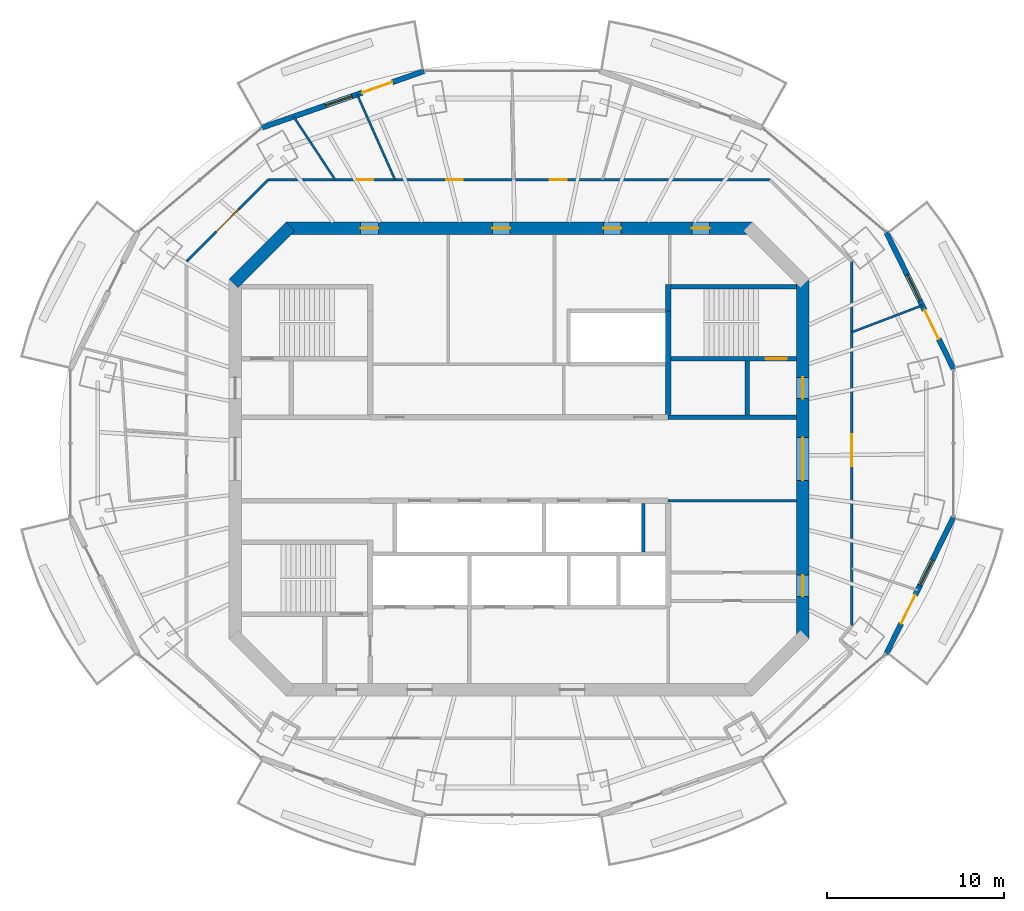
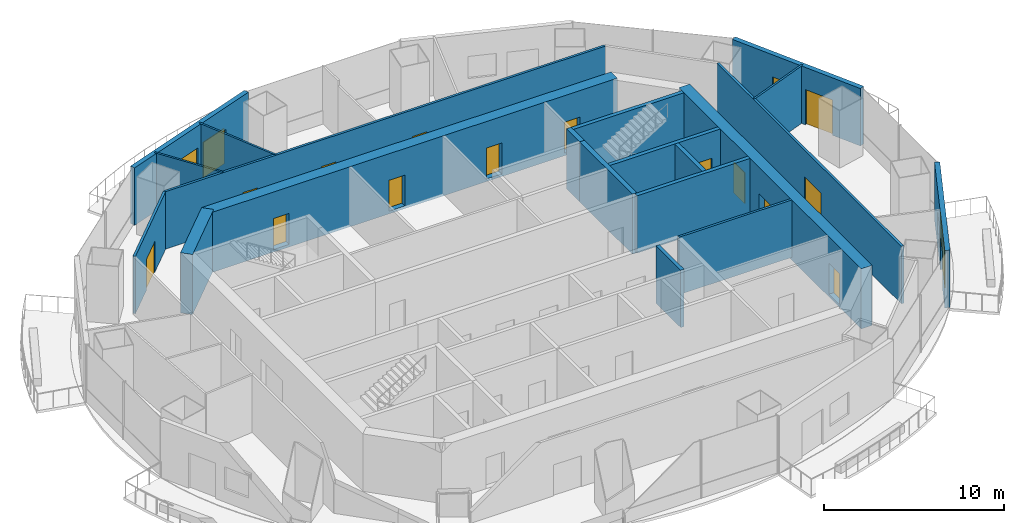
# One storey, part 10 of 14: 20 walls, 16 doors, 3 windows, 19 openings.
"""IFC4 building model written with IfcOpenShell, lengths in metres."""

from ifc_helpers import new_model, si_unit, direction, frame, frame_2d, origin, place, context, subcontext, project, spatial, rectangle, extrude, material, layer, layer_set, type_object, element, fill, save


model = new_model("IFC4")

# Units and contexts
model_context = context("Model", 3, precision=1e-05, world=origin(), true_north=direction((0.0, 1.0)))
body_context = subcontext(model_context, "Body", "Model", "MODEL_VIEW")
ifc_project = project(units=[si_unit("LENGTHUNIT", "METRE"), si_unit("AREAUNIT", "SQUARE_METRE"), si_unit("VOLUMEUNIT", "CUBIC_METRE"), si_unit("PLANEANGLEUNIT", "RADIAN"), si_unit("MASSUNIT", "GRAM", prefix="KILO")], contexts=[model_context])

# Site, building, storey
site_placement = place(None, origin())
site = spatial("IfcSite", under=ifc_project, at=site_placement, CompositionType="ELEMENT")
building_placement = place(site_placement, origin())
building = spatial("IfcBuilding", under=site, at=building_placement, Name="Marenthal Gate Tower", CompositionType="ELEMENT")
storey_placement = place(building_placement, frame((0.0, 0.0, 392.39990234375)))
storey = spatial("IfcBuildingStorey", under=building, at=storey_placement, Name="L89", CompositionType="ELEMENT", Elevation=392.39990234375)

# Wall, openings, doors
ifc_material_1 = material(Name="Concrete 60 MPa", Category="concrete")
ifc_layer_1 = layer(ifc_material_1, 0.699951171875)
ifc_layer_set_1 = layer_set([ifc_layer_1], Name="Core shear wall 700")
wall_type_1 = type_object("IfcWallType", Name="Core shear wall 700", PredefinedType="SHEAR", material=ifc_layer_set_1)
wall_1_placement = place(storey_placement, frame((16.0, -10.14501953125, -0.179931640625), z_axis=(0.0, 0.0, 1.0), x_axis=(0.0, 1.0, 0.0)))
wall_1 = element("IfcWall", 1, at=wall_1_placement, inside=storey, type_object=wall_type_1, Name="Core wall 02", PredefinedType="SHEAR", context=body_context, shape_type="SweptSolid", body=[
    extrude(rectangle(XDim=20.2900390625, YDim=0.699951171875, at=frame_2d((10.14501953125, 0.0))), origin(), (0.0, 0.0, 1.0), 4.080078125),
])
opening_1_placement = place(wall_1_placement, frame((8.945068359375, 0.0, 0.179931640625)))
opening_1 = element("IfcOpeningElement", 2, at=opening_1_placement, cuts=wall_1, Name="Opening D003.02", PredefinedType="OPENING", context=body_context, shape_type="SweptSolid", body=[
    extrude(rectangle(XDim=2.39990234375, YDim=2.10009765625, at=frame_2d((1.199951171875, 1.050048828125))), frame((0.0, 0.35986328125, 0.0), z_axis=(0.0, -1.0, 0.0), x_axis=(1.0, 0.0, 0.0)), (0.0, 0.0, 1.0), 0.719970703125),
])
opening_2_placement = place(wall_1_placement, frame((13.544921875, 0.0, 0.179931640625)))
opening_2 = element("IfcOpeningElement", 3, at=opening_2_placement, cuts=wall_1, Name="Opening D001.05", PredefinedType="OPENING", context=body_context, shape_type="SweptSolid", body=[
    extrude(rectangle(XDim=1.199951171875, YDim=2.10009765625, at=frame_2d((0.60009765625, 1.050048828125))), frame((0.0, 0.35986328125, 0.0), z_axis=(0.0, -1.0, 0.0), x_axis=(1.0, 0.0, 0.0)), (0.0, 0.0, 1.0), 0.719970703125),
])
opening_3_placement = place(wall_1_placement, frame((2.39990234375, 0.0, 0.179931640625)))
opening_3 = element("IfcOpeningElement", 4, at=opening_3_placement, cuts=wall_1, Name="Opening D006.01", PredefinedType="OPENING", context=body_context, shape_type="SweptSolid", body=[
    extrude(rectangle(XDim=1.199951171875, YDim=2.10009765625, at=frame_2d((0.60009765625, 1.050048828125))), frame((0.0, 0.35986328125, 0.0), z_axis=(0.0, -1.0, 0.0), x_axis=(1.0, 0.0, 0.0)), (0.0, 0.0, 1.0), 0.719970703125),
])
ifc_material_2 = material(Name="Steel fire door", Category="steel")
door_type_1 = type_object("IfcDoorType", Name="Double fire door FD 45 2400 x 2100", OperationType="DOUBLE_DOOR_SINGLE_SWING", PredefinedType="DOOR", material=ifc_material_2)
door_1_placement = place(opening_1_placement, origin())
door_1 = element("IfcDoor", 5, at=door_1_placement, inside=storey, type_object=door_type_1, Name="Door D003.02", OperationType="DOUBLE_DOOR_SINGLE_SWING", OverallHeight=2.10009765625, OverallWidth=2.39990234375, PredefinedType="DOOR", context=body_context, shape_type="SweptSolid", body=[
    extrude(rectangle(XDim=2.39990234375, YDim=2.10009765625, at=frame_2d((1.199951171875, 1.050048828125))), frame((0.0, 0.02490234375, 0.0), z_axis=(0.0, -1.0, 0.0), x_axis=(1.0, 0.0, 0.0)), (0.0, 0.0, 1.0), 0.050048828125),
])
fill(opening_1, door_1)
ifc_material_3 = material(Name="Steel fire door", Category="steel")
door_type_2 = type_object("IfcDoorType", Name="Fire door FD 45 1200 x 2100", OperationType="NOTDEFINED", PredefinedType="DOOR", material=ifc_material_3)
door_2_placement = place(opening_3_placement, origin())
door_2 = element("IfcDoor", 6, at=door_2_placement, inside=storey, type_object=door_type_2, Name="Door D006.01", OperationType="SINGLE_SWING_RIGHT", OverallHeight=2.10009765625, OverallWidth=1.199951171875, PredefinedType="DOOR", context=body_context, shape_type="SweptSolid", body=[
    extrude(rectangle(XDim=1.199951171875, YDim=2.10009765625, at=frame_2d((0.60009765625, 1.050048828125))), frame((0.0, 0.02490234375, 0.0), z_axis=(0.0, -1.0, 0.0), x_axis=(1.0, 0.0, 0.0)), (0.0, 0.0, 1.0), 0.050048828125),
])
fill(opening_3, door_2)
ifc_material_4 = material(Name="Steel fire door", Category="steel")
door_type_3 = type_object("IfcDoorType", Name="Fire door FD 90 1200 x 2100", OperationType="NOTDEFINED", PredefinedType="DOOR", material=ifc_material_4)
door_3_placement = place(opening_2_placement, origin())
door_3 = element("IfcDoor", 7, at=door_3_placement, inside=storey, type_object=door_type_3, Name="Door D001.05", OperationType="SINGLE_SWING_RIGHT", OverallHeight=2.10009765625, OverallWidth=1.199951171875, PredefinedType="DOOR", context=body_context, shape_type="SweptSolid", body=[
    extrude(rectangle(XDim=1.199951171875, YDim=2.10009765625, at=frame_2d((0.60009765625, 1.050048828125))), frame((0.0, 0.02490234375, 0.0), z_axis=(0.0, -1.0, 0.0), x_axis=(1.0, 0.0, 0.0)), (0.0, 0.0, 1.0), 0.050048828125),
])
fill(opening_2, door_3)

wall_2_placement = place(storey_placement, frame((13.14501953125, 13.0, -0.179931640625), z_axis=(0.0, 0.0, 1.0), x_axis=(-1.0, 0.0, 0.0)))
wall_2 = element("IfcWall", 8, at=wall_2_placement, inside=storey, type_object=wall_type_1, Name="Core wall 04", PredefinedType="SHEAR", context=body_context, shape_type="SweptSolid", body=[
    extrude(rectangle(XDim=26.2900390625, YDim=0.699951171875, at=frame_2d((13.14501953125, 0.0))), origin(), (0.0, 0.0, 1.0), 4.080078125),
])
opening_4_placement = place(wall_2_placement, frame((21.07275390625, 0.0, 0.179931640625)))
opening_4 = element("IfcOpeningElement", 9, at=opening_4_placement, cuts=wall_2, Name="Opening D005.03", PredefinedType="OPENING", context=body_context, shape_type="SweptSolid", body=[
    extrude(rectangle(XDim=1.0, YDim=2.10009765625, at=frame_2d((0.5, 1.050048828125))), frame((0.0, 0.35986328125, 0.0), z_axis=(0.0, -1.0, 0.0), x_axis=(1.0, 0.0, 0.0)), (0.0, 0.0, 1.0), 0.719970703125),
])
opening_5_placement = place(wall_2_placement, frame((13.64501953125, 0.0, 0.179931640625)))
opening_5 = element("IfcOpeningElement", 10, at=opening_5_placement, cuts=wall_2, Name="Opening D005.04", PredefinedType="OPENING", context=body_context, shape_type="SweptSolid", body=[
    extrude(rectangle(XDim=1.0, YDim=2.10009765625, at=frame_2d((0.5, 1.050048828125))), frame((0.0, 0.35986328125, 0.0), z_axis=(0.0, -1.0, 0.0), x_axis=(1.0, 0.0, 0.0)), (0.0, 0.0, 1.0), 0.719970703125),
])
opening_6_placement = place(wall_2_placement, frame((7.39501953125, 0.0, 0.179931640625)))
opening_6 = element("IfcOpeningElement", 11, at=opening_6_placement, cuts=wall_2, Name="Opening D005.05", PredefinedType="OPENING", context=body_context, shape_type="SweptSolid", body=[
    extrude(rectangle(XDim=1.0, YDim=2.10009765625, at=frame_2d((0.5, 1.050048828125))), frame((0.0, 0.35986328125, 0.0), z_axis=(0.0, -1.0, 0.0), x_axis=(1.0, 0.0, 0.0)), (0.0, 0.0, 1.0), 0.719970703125),
])
opening_7_placement = place(wall_2_placement, frame((2.39990234375, 0.0, 0.179931640625)))
opening_7 = element("IfcOpeningElement", 12, at=opening_7_placement, cuts=wall_2, Name="Opening D005.06", PredefinedType="OPENING", context=body_context, shape_type="SweptSolid", body=[
    extrude(rectangle(XDim=1.0, YDim=2.10009765625, at=frame_2d((0.5, 1.050048828125))), frame((0.0, 0.35986328125, 0.0), z_axis=(0.0, -1.0, 0.0), x_axis=(1.0, 0.0, 0.0)), (0.0, 0.0, 1.0), 0.719970703125),
])
ifc_material_5 = material(Name="Steel fire door", Category="steel")
door_type_4 = type_object("IfcDoorType", Name="Fire door FD 45 1000 x 2100", OperationType="NOTDEFINED", PredefinedType="DOOR", material=ifc_material_5)
door_4_placement = place(opening_4_placement, origin())
door_4 = element("IfcDoor", 13, at=door_4_placement, inside=storey, type_object=door_type_4, Name="Door D005.03", OperationType="SINGLE_SWING_RIGHT", OverallHeight=2.10009765625, OverallWidth=1.0, PredefinedType="DOOR", context=body_context, shape_type="SweptSolid", body=[
    extrude(rectangle(XDim=1.0, YDim=2.10009765625, at=frame_2d((0.5, 1.050048828125))), frame((0.0, 0.02490234375, 0.0), z_axis=(0.0, -1.0, 0.0), x_axis=(1.0, 0.0, 0.0)), (0.0, 0.0, 1.0), 0.050048828125),
])
fill(opening_4, door_4)
door_5_placement = place(opening_5_placement, origin())
door_5 = element("IfcDoor", 14, at=door_5_placement, inside=storey, type_object=door_type_4, Name="Door D005.04", OperationType="SINGLE_SWING_RIGHT", OverallHeight=2.10009765625, OverallWidth=1.0, PredefinedType="DOOR", context=body_context, shape_type="SweptSolid", body=[
    extrude(rectangle(XDim=1.0, YDim=2.10009765625, at=frame_2d((0.5, 1.050048828125))), frame((0.0, 0.02490234375, 0.0), z_axis=(0.0, -1.0, 0.0), x_axis=(1.0, 0.0, 0.0)), (0.0, 0.0, 1.0), 0.050048828125),
])
fill(opening_5, door_5)
door_6_placement = place(opening_6_placement, origin())
door_6 = element("IfcDoor", 15, at=door_6_placement, inside=storey, type_object=door_type_4, Name="Door D005.05", OperationType="SINGLE_SWING_RIGHT", OverallHeight=2.10009765625, OverallWidth=1.0, PredefinedType="DOOR", context=body_context, shape_type="SweptSolid", body=[
    extrude(rectangle(XDim=1.0, YDim=2.10009765625, at=frame_2d((0.5, 1.050048828125))), frame((0.0, 0.02490234375, 0.0), z_axis=(0.0, -1.0, 0.0), x_axis=(1.0, 0.0, 0.0)), (0.0, 0.0, 1.0), 0.050048828125),
])
fill(opening_6, door_6)
door_7_placement = place(opening_7_placement, origin())
door_7 = element("IfcDoor", 16, at=door_7_placement, inside=storey, type_object=door_type_4, Name="Door D005.06", OperationType="SINGLE_SWING_RIGHT", OverallHeight=2.10009765625, OverallWidth=1.0, PredefinedType="DOOR", context=body_context, shape_type="SweptSolid", body=[
    extrude(rectangle(XDim=1.0, YDim=2.10009765625, at=frame_2d((0.5, 1.050048828125))), frame((0.0, 0.02490234375, 0.0), z_axis=(0.0, -1.0, 0.0), x_axis=(1.0, 0.0, 0.0)), (0.0, 0.0, 1.0), 0.050048828125),
])
fill(opening_7, door_7)

# Walls
wall_3_placement = place(storey_placement, frame((-12.8974609375, 13.1025390625, -0.179931640625), z_axis=(0.0, 0.0, 1.0), x_axis=(-0.707106781187, -0.707106781187, 0.0)))
element("IfcWall", 17, at=wall_3_placement, inside=storey, type_object=wall_type_1, Name="Core wall 05", PredefinedType="SHEAR", context=body_context, shape_type="SweptSolid", body=[
    extrude(rectangle(XDim=4.53271484375, YDim=0.699951171875, at=frame_2d((2.266357421875, 0.0))), origin(), (0.0, 0.0, 1.0), 4.080078125),
])
ifc_material_6 = material(Name="Concrete 50 MPa", Category="concrete")
ifc_layer_2 = layer(ifc_material_6, 0.300048828125)
ifc_layer_set_2 = layer_set([ifc_layer_2], Name="Hoistway shear wall 300")
wall_type_2 = type_object("IfcWallType", Name="Hoistway shear wall 300", PredefinedType="SHEAR", material=ifc_layer_set_2)
wall_4_placement = place(storey_placement, frame((8.39990234375, 2.5, -0.179931640625), z_axis=(0.0, 0.0, 1.0), x_axis=(0.0, 1.0, 0.0)))
element("IfcWall", 18, at=wall_4_placement, inside=storey, type_object=wall_type_2, Name="Hoistway wall 48", PredefinedType="SHEAR", context=body_context, shape_type="SweptSolid", body=[
    extrude(rectangle(XDim=5.85009765625, YDim=0.300048828125, at=frame_2d((2.925048828125, 0.0))), origin(), (0.0, 0.0, 1.0), 4.080078125),
])
ifc_material_7 = material(Name="Concrete 40 MPa", Category="concrete")
ifc_layer_3 = layer(ifc_material_7, 0.219970703125)
ifc_layer_set_3 = layer_set([ifc_layer_3], Name="Hoistway wall 220")
wall_type_3 = type_object("IfcWallType", Name="Hoistway wall 220", PredefinedType="STANDARD", material=ifc_layer_set_3)
wall_5_placement = place(storey_placement, frame((7.0, -5.239990234375, 0.0), z_axis=(0.0, 0.0, 1.0), x_axis=(0.0, 1.0, 0.0)))
element("IfcWall", 19, at=wall_5_placement, inside=storey, type_object=wall_type_3, Name="Hoistway wall 45", PredefinedType="STANDARD", context=body_context, shape_type="SweptSolid", body=[
    extrude(rectangle(XDim=2.739990234375, YDim=0.219970703125, at=frame_2d((1.3701171875, 0.0))), origin(), (0.0, 0.0, 1.0), 3.900146484375),
])
ifc_material_8 = material(Name="Gypsum board on steel studs", Category="steel")
ifc_layer_4 = layer(ifc_material_8, 0.1201171875)
ifc_layer_set_4 = layer_set([ifc_layer_4], Name="Partition 120")
wall_type_4 = type_object("IfcWallType", Name="Partition 120", PredefinedType="PARTITIONING", material=ifc_layer_set_4)
wall_6_placement = place(storey_placement, frame((-10.37255859375, 15.75, 0.0), z_axis=(0.0, 0.0, 1.0), x_axis=(-0.550014013295, 0.835155425762, 0.0)))
element("IfcWall", 20, at=wall_6_placement, inside=storey, type_object=wall_type_4, Name="Partition wall 63", PredefinedType="PARTITIONING", context=body_context, shape_type="SweptSolid", body=[
    extrude(rectangle(XDim=4.251953125, YDim=0.1201171875, at=frame_2d((2.1259765625, 0.0))), origin(), (0.0, 0.0, 1.0), 3.900146484375),
])
wall_7_placement = place(storey_placement, frame((-6.99560546875, 15.75, 0.0), z_axis=(0.0, 0.0, 1.0), x_axis=(-0.405909939035, 0.913913081968, 0.0)))
element("IfcWall", 21, at=wall_7_placement, inside=storey, type_object=wall_type_4, Name="Partition wall 64", PredefinedType="PARTITIONING", context=body_context, shape_type="SweptSolid", body=[
    extrude(rectangle(XDim=5.25390625, YDim=0.1201171875, at=frame_2d((2.626953125, 0.0))), origin(), (0.0, 0.0, 1.0), 3.900146484375),
])
wall_8_placement = place(storey_placement, frame((18.75, 7.14501953125, 0.0), z_axis=(0.0, 0.0, 1.0), x_axis=(0.934470468692, 0.35604064816, 0.0)))
element("IfcWall", 22, at=wall_8_placement, inside=storey, type_object=wall_type_4, Name="Partition wall 76", PredefinedType="PARTITIONING", context=body_context, shape_type="SweptSolid", body=[
    extrude(rectangle(XDim=4.256103515625, YDim=0.1201171875, at=frame_2d((2.1279296875, 0.0))), origin(), (0.0, 0.0, 1.0), 3.900146484375),
])
ifc_material_9 = material(Name="Gypsum board on steel studs", Category="steel")
ifc_layer_5 = layer(ifc_material_9, 0.14990234375)
ifc_layer_set_5 = layer_set([ifc_layer_5], Name="Partition 150")
wall_type_5 = type_object("IfcWallType", Name="Partition 150", PredefinedType="PARTITIONING", material=ifc_layer_set_5)
wall_9_placement = place(storey_placement, frame((8.39990234375, -2.35009765625, 0.0), z_axis=(0.0, 0.0, 1.0), x_axis=(1.0, 0.0, 0.0)))
element("IfcWall", 23, at=wall_9_placement, inside=storey, type_object=wall_type_5, Name="Partition wall 18", PredefinedType="PARTITIONING", context=body_context, shape_type="SweptSolid", body=[
    extrude(rectangle(XDim=7.25, YDim=0.14990234375, at=frame_2d((3.625, 0.0))), origin(), (0.0, 0.0, 1.0), 3.900146484375),
])

# Wall, opening, door
wall_10_placement = place(storey_placement, frame((-18.75, 11.13916015625, 0.0), z_axis=(0.0, 0.0, 1.0), x_axis=(0.707106781187, 0.707106781187, 0.0)))
wall_10 = element("IfcWall", 24, at=wall_10_placement, inside=storey, type_object=wall_type_5, Name="Partition wall 57", PredefinedType="PARTITIONING", context=body_context, shape_type="SweptSolid", body=[
    extrude(rectangle(XDim=6.520751953125, YDim=0.14990234375, at=frame_2d((3.26025390625, 0.0))), origin(), (0.0, 0.0, 1.0), 3.900146484375),
])
opening_8_placement = place(wall_10_placement, frame((2.360107421875, 0.0, 0.0)))
opening_8 = element("IfcOpeningElement", 25, at=opening_8_placement, cuts=wall_10, Name="Opening D014.01", PredefinedType="OPENING", context=body_context, shape_type="SweptSolid", body=[
    extrude(rectangle(XDim=1.800048828125, YDim=2.10009765625, at=frame_2d((0.89990234375, 1.050048828125))), frame((0.0, 0.0849609375, 0.0), z_axis=(0.0, -1.0, 0.0), x_axis=(1.0, 0.0, 0.0)), (0.0, 0.0, 1.0), 0.169921875),
])
ifc_material_10 = material(Name="Timber door", Category="wood")
door_type_5 = type_object("IfcDoorType", Name="Double door 1800 x 2100", OperationType="DOUBLE_DOOR_SINGLE_SWING", PredefinedType="DOOR", material=ifc_material_10)
door_8_placement = place(opening_8_placement, origin())
door_8 = element("IfcDoor", 26, at=door_8_placement, inside=storey, type_object=door_type_5, Name="Door D014.01", OperationType="DOUBLE_DOOR_SINGLE_SWING", OverallHeight=2.10009765625, OverallWidth=1.800048828125, PredefinedType="DOOR", context=body_context, shape_type="SweptSolid", body=[
    extrude(rectangle(XDim=1.800048828125, YDim=2.10009765625, at=frame_2d((0.89990234375, 1.050048828125))), frame((0.0, 0.02490234375, 0.0), z_axis=(0.0, -1.0, 0.0), x_axis=(1.0, 0.0, 0.0)), (0.0, 0.0, 1.0), 0.050048828125),
])
fill(opening_8, door_8)

# Wall, openings, doors
wall_11_placement = place(storey_placement, frame((-14.13916015625, 15.75, 0.0), z_axis=(0.0, 0.0, 1.0), x_axis=(1.0, 0.0, 0.0)))
wall_11 = element("IfcWall", 27, at=wall_11_placement, inside=storey, type_object=wall_type_5, Name="Partition wall 59", PredefinedType="PARTITIONING", context=body_context, shape_type="SweptSolid", body=[
    extrude(rectangle(XDim=28.2783203125, YDim=0.14990234375, at=frame_2d((14.13916015625, 0.0))), origin(), (0.0, 0.0, 1.0), 3.900146484375),
])
opening_9_placement = place(wall_11_placement, frame((15.87109375, 0.0, 0.0)))
opening_9 = element("IfcOpeningElement", 28, at=opening_9_placement, cuts=wall_11, Name="Opening D016.02", PredefinedType="OPENING", context=body_context, shape_type="SweptSolid", body=[
    extrude(rectangle(XDim=0.949951171875, YDim=2.10009765625, at=frame_2d((0.47509765625, 1.050048828125))), frame((0.0, 0.0849609375, 0.0), z_axis=(0.0, -1.0, 0.0), x_axis=(1.0, 0.0, 0.0)), (0.0, 0.0, 1.0), 0.169921875),
])
opening_10_placement = place(wall_11_placement, frame((10.02197265625, 0.0, 0.0)))
opening_10 = element("IfcOpeningElement", 29, at=opening_10_placement, cuts=wall_11, Name="Opening D016.03", PredefinedType="OPENING", context=body_context, shape_type="SweptSolid", body=[
    extrude(rectangle(XDim=0.949951171875, YDim=2.10009765625, at=frame_2d((0.47509765625, 1.050048828125))), frame((0.0, 0.0849609375, 0.0), z_axis=(0.0, -1.0, 0.0), x_axis=(1.0, 0.0, 0.0)), (0.0, 0.0, 1.0), 0.169921875),
])
opening_11_placement = place(wall_11_placement, frame((4.97998046875, 0.0, 0.0)))
opening_11 = element("IfcOpeningElement", 30, at=opening_11_placement, cuts=wall_11, Name="Opening D016.04", PredefinedType="OPENING", context=body_context, shape_type="SweptSolid", body=[
    extrude(rectangle(XDim=0.949951171875, YDim=2.10009765625, at=frame_2d((0.47509765625, 1.050048828125))), frame((0.0, 0.0849609375, 0.0), z_axis=(0.0, -1.0, 0.0), x_axis=(1.0, 0.0, 0.0)), (0.0, 0.0, 1.0), 0.169921875),
])
ifc_material_11 = material(Name="Timber door", Category="wood")
door_type_6 = type_object("IfcDoorType", Name="Door 950 x 2100", OperationType="NOTDEFINED", PredefinedType="DOOR", material=ifc_material_11)
door_9_placement = place(opening_9_placement, origin())
door_9 = element("IfcDoor", 31, at=door_9_placement, inside=storey, type_object=door_type_6, Name="Door D016.02", OperationType="SINGLE_SWING_RIGHT", OverallHeight=2.10009765625, OverallWidth=0.949951171875, PredefinedType="DOOR", context=body_context, shape_type="SweptSolid", body=[
    extrude(rectangle(XDim=0.949951171875, YDim=2.10009765625, at=frame_2d((0.47509765625, 1.050048828125))), frame((0.0, 0.02490234375, 0.0), z_axis=(0.0, -1.0, 0.0), x_axis=(1.0, 0.0, 0.0)), (0.0, 0.0, 1.0), 0.050048828125),
])
fill(opening_9, door_9)
door_10_placement = place(opening_10_placement, origin())
door_10 = element("IfcDoor", 32, at=door_10_placement, inside=storey, type_object=door_type_6, Name="Door D016.03", OperationType="SINGLE_SWING_RIGHT", OverallHeight=2.10009765625, OverallWidth=0.949951171875, PredefinedType="DOOR", context=body_context, shape_type="SweptSolid", body=[
    extrude(rectangle(XDim=0.949951171875, YDim=2.10009765625, at=frame_2d((0.47509765625, 1.050048828125))), frame((0.0, 0.02490234375, 0.0), z_axis=(0.0, -1.0, 0.0), x_axis=(1.0, 0.0, 0.0)), (0.0, 0.0, 1.0), 0.050048828125),
])
fill(opening_10, door_10)
door_11_placement = place(opening_11_placement, origin())
door_11 = element("IfcDoor", 33, at=door_11_placement, inside=storey, type_object=door_type_6, Name="Door D016.04", OperationType="SINGLE_SWING_RIGHT", OverallHeight=2.10009765625, OverallWidth=0.949951171875, PredefinedType="DOOR", context=body_context, shape_type="SweptSolid", body=[
    extrude(rectangle(XDim=0.949951171875, YDim=2.10009765625, at=frame_2d((0.47509765625, 1.050048828125))), frame((0.0, 0.02490234375, 0.0), z_axis=(0.0, -1.0, 0.0), x_axis=(1.0, 0.0, 0.0)), (0.0, 0.0, 1.0), 0.050048828125),
])
fill(opening_11, door_11)

# Wall, opening, door
wall_12_placement = place(storey_placement, frame((18.75, 11.13916015625, 0.0), z_axis=(0.0, 0.0, 1.0), x_axis=(0.0, -1.0, 0.0)))
wall_12 = element("IfcWall", 34, at=wall_12_placement, inside=storey, type_object=wall_type_5, Name="Partition wall 77", PredefinedType="PARTITIONING", context=body_context, shape_type="SweptSolid", body=[
    extrude(rectangle(XDim=20.51806640625, YDim=0.14990234375, at=frame_2d((10.259033203125, 0.0))), origin(), (0.0, 0.0, 1.0), 3.900146484375),
])
opening_12_placement = place(wall_12_placement, frame((9.75, 0.0, 0.0)))
opening_12 = element("IfcOpeningElement", 35, at=opening_12_placement, cuts=wall_12, Name="Opening D014.03", PredefinedType="OPENING", context=body_context, shape_type="SweptSolid", body=[
    extrude(rectangle(XDim=1.800048828125, YDim=2.10009765625, at=frame_2d((0.89990234375, 1.050048828125))), frame((0.0, 0.0849609375, 0.0), z_axis=(0.0, -1.0, 0.0), x_axis=(1.0, 0.0, 0.0)), (0.0, 0.0, 1.0), 0.169921875),
])
door_12_placement = place(opening_12_placement, origin())
door_12 = element("IfcDoor", 36, at=door_12_placement, inside=storey, type_object=door_type_5, Name="Door D014.03", OperationType="DOUBLE_DOOR_SINGLE_SWING", OverallHeight=2.10009765625, OverallWidth=1.800048828125, PredefinedType="DOOR", context=body_context, shape_type="SweptSolid", body=[
    extrude(rectangle(XDim=1.800048828125, YDim=2.10009765625, at=frame_2d((0.89990234375, 1.050048828125))), frame((0.0, 0.02490234375, 0.0), z_axis=(0.0, -1.0, 0.0), x_axis=(1.0, 0.0, 0.0)), (0.0, 0.0, 1.0), 0.050048828125),
])
fill(opening_12, door_12)

# Walls
ifc_material_12 = material(Name="Concrete 40 MPa", Category="concrete")
ifc_layer_6 = layer(ifc_material_12, 0.25)
ifc_layer_set_6 = layer_set([ifc_layer_6], Name="Stair enclosure wall 250")
wall_type_6 = type_object("IfcWallType", Name="Stair enclosure wall 250", PredefinedType="STANDARD", material=ifc_layer_set_6)
wall_13_placement = place(storey_placement, frame((8.39990234375, 2.35009765625, 0.0), z_axis=(0.0, 0.0, 1.0), x_axis=(1.0, 0.0, 0.0)))
element("IfcWall", 37, at=wall_13_placement, inside=storey, type_object=wall_type_6, Name="Stair wall 21", PredefinedType="STANDARD", context=body_context, shape_type="SweptSolid", body=[
    extrude(rectangle(XDim=7.25, YDim=0.25, at=frame_2d((3.625, 0.0))), origin(), (0.0, 0.0, 1.0), 3.900146484375),
])
wall_14_placement = place(storey_placement, frame((12.85009765625, 2.47509765625, 0.0), z_axis=(0.0, 0.0, 1.0), x_axis=(0.0, 1.0, 0.0)))
element("IfcWall", 38, at=wall_14_placement, inside=storey, type_object=wall_type_6, Name="Stair wall 51", PredefinedType="STANDARD", context=body_context, shape_type="SweptSolid", body=[
    extrude(rectangle(XDim=3.0498046875, YDim=0.25, at=frame_2d((1.52490234375, 0.0))), origin(), (0.0, 0.0, 1.0), 3.900146484375),
])

# Wall, opening, door
ifc_material_13 = material(Name="Concrete 50 MPa", Category="concrete")
ifc_layer_7 = layer(ifc_material_13, 0.25)
ifc_layer_set_7 = layer_set([ifc_layer_7], Name="Stair shear wall 250")
wall_type_7 = type_object("IfcWallType", Name="Stair shear wall 250", PredefinedType="SHEAR", material=ifc_layer_set_7)
wall_15_placement = place(storey_placement, frame((8.550048828125, 5.64990234375, -0.179931640625), z_axis=(0.0, 0.0, 1.0), x_axis=(1.0, 0.0, 0.0)))
wall_15 = element("IfcWall", 39, at=wall_15_placement, inside=storey, type_object=wall_type_7, Name="Stair wall 25", PredefinedType="SHEAR", context=body_context, shape_type="SweptSolid", body=[
    extrude(rectangle(XDim=7.099853515625, YDim=0.25, at=frame_2d((3.5498046875, 0.0))), origin(), (0.0, 0.0, 1.0), 4.080078125),
])
opening_13_placement = place(wall_15_placement, frame((5.35009765625, 0.0, 0.179931640625)))
opening_13 = element("IfcOpeningElement", 40, at=opening_13_placement, cuts=wall_15, Name="Opening D001.02", PredefinedType="OPENING", context=body_context, shape_type="SweptSolid", body=[
    extrude(rectangle(XDim=1.199951171875, YDim=2.10009765625, at=frame_2d((0.60009765625, 1.050048828125))), frame((0.0, 0.135009765625, 0.0), z_axis=(0.0, -1.0, 0.0), x_axis=(1.0, 0.0, 0.0)), (0.0, 0.0, 1.0), 0.27001953125),
])
door_13_placement = place(opening_13_placement, origin())
door_13 = element("IfcDoor", 41, at=door_13_placement, inside=storey, type_object=door_type_3, Name="Door D001.02", OperationType="SINGLE_SWING_RIGHT", OverallHeight=2.10009765625, OverallWidth=1.199951171875, PredefinedType="DOOR", context=body_context, shape_type="SweptSolid", body=[
    extrude(rectangle(XDim=1.199951171875, YDim=2.10009765625, at=frame_2d((0.60009765625, 1.050048828125))), frame((0.0, 0.02490234375, 0.0), z_axis=(0.0, -1.0, 0.0), x_axis=(1.0, 0.0, 0.0)), (0.0, 0.0, 1.0), 0.050048828125),
])
fill(opening_13, door_13)

# Walls
wall_16_placement = place(storey_placement, frame((8.550048828125, 9.699951171875, -0.179931640625), z_axis=(0.0, 0.0, 1.0), x_axis=(1.0, 0.0, 0.0)))
element("IfcWall", 42, at=wall_16_placement, inside=storey, type_object=wall_type_7, Name="Stair wall 28", PredefinedType="SHEAR", context=body_context, shape_type="SweptSolid", body=[
    extrude(rectangle(XDim=7.099853515625, YDim=0.25, at=frame_2d((3.5498046875, 0.0))), origin(), (0.0, 0.0, 1.0), 4.080078125),
])
ifc_material_14 = material(Name="Concrete 50 MPa", Category="concrete")
ifc_layer_8 = layer(ifc_material_14, 0.300048828125)
ifc_layer_set_8 = layer_set([ifc_layer_8], Name="Stair shear wall 300")
wall_type_8 = type_object("IfcWallType", Name="Stair shear wall 300", PredefinedType="SHEAR", material=ifc_layer_set_8)
wall_17_placement = place(storey_placement, frame((8.39990234375, 8.35009765625, -0.179931640625), z_axis=(0.0, 0.0, 1.0), x_axis=(0.0, 1.0, 0.0)))
element("IfcWall", 43, at=wall_17_placement, inside=storey, type_object=wall_type_8, Name="Stair wall 49", PredefinedType="SHEAR", context=body_context, shape_type="SweptSolid", body=[
    extrude(rectangle(XDim=1.474853515625, YDim=0.300048828125, at=frame_2d((0.7373046875, 0.0))), origin(), (0.0, 0.0, 1.0), 4.080078125),
])

# Wall, openings, door, window
ifc_material_15 = material(Name="Terracotta cladding on insulated concrete-block backing", Category="masonry")
ifc_layer_9 = layer(ifc_material_15, 0.300048828125)
ifc_layer_set_9 = layer_set([ifc_layer_9], Name="Terracotta facade wall 300")
wall_type_9 = type_object("IfcWallType", Name="Terracotta facade wall 300", PredefinedType="SOLIDWALL", material=ifc_layer_set_9)
wall_18_placement = place(storey_placement, frame((24.4921875, 5.071044921875, 0.0), z_axis=(0.0, 0.0, 1.0), x_axis=(-0.441245353493, 0.897386504256, 0.0)))
wall_18 = element("IfcWall", 44, at=wall_18_placement, inside=storey, type_object=wall_type_9, Name="Terracotta facade wall L89 bay 1", PredefinedType="SOLIDWALL", context=body_context, shape_type="SweptSolid", body=[
    extrude(rectangle(XDim=8.58837890625, YDim=0.300048828125, at=frame_2d((4.294189453125, 0.0))), origin(), (0.0, 0.0, 1.0), 3.900146484375),
])
opening_14_placement = place(wall_18_placement, frame((1.89990234375, 0.0, 0.0)))
opening_14 = element("IfcOpeningElement", 45, at=opening_14_placement, cuts=wall_18, Name="Opening BD-L89-01", PredefinedType="OPENING", context=body_context, shape_type="SweptSolid", body=[
    extrude(rectangle(XDim=1.800048828125, YDim=2.39990234375, at=frame_2d((0.89990234375, 1.199951171875))), frame((0.0, 0.16015625, 0.0), z_axis=(0.0, -1.0, 0.0), x_axis=(1.0, 0.0, 0.0)), (0.0, 0.0, 1.0), 0.320068359375),
])
opening_15_placement = place(wall_18_placement, frame((4.300048828125, 0.0, 0.89990234375)))
opening_15 = element("IfcOpeningElement", 46, at=opening_15_placement, cuts=wall_18, Name="Opening WN3-L89-01", PredefinedType="OPENING", context=body_context, shape_type="SweptSolid", body=[
    extrude(rectangle(XDim=1.60009765625, YDim=1.5, at=frame_2d((0.800048828125, 0.75))), frame((0.0, 0.16015625, 0.0), z_axis=(0.0, -1.0, 0.0), x_axis=(1.0, 0.0, 0.0)), (0.0, 0.0, 1.0), 0.320068359375),
])
ifc_material_16 = material(Name="Aluminium and glass", Category="aluminium")
door_type_7 = type_object("IfcDoorType", Name="Balcony door 1800x2400", OperationType="DOUBLE_DOOR_SINGLE_SWING", PredefinedType="DOOR", material=ifc_material_16)
door_14_placement = place(opening_14_placement, origin())
door_14 = element("IfcDoor", 47, at=door_14_placement, inside=storey, type_object=door_type_7, Name="Balcony door L89 bay 1", OperationType="SINGLE_SWING_LEFT", OverallHeight=2.39990234375, OverallWidth=1.800048828125, PredefinedType="DOOR", context=body_context, shape_type="SweptSolid", body=[
    extrude(rectangle(XDim=1.800048828125, YDim=2.39990234375, at=frame_2d((0.89990234375, 1.199951171875))), frame((0.0, 0.02490234375, 0.0), z_axis=(0.0, -1.0, 0.0), x_axis=(1.0, 0.0, 0.0)), (0.0, 0.0, 1.0), 0.050048828125),
])
fill(opening_14, door_14)
ifc_material_17 = material(Name="Aluminium and glass", Category="aluminium")
window_type = type_object("IfcWindowType", Name="Window 1600x1500", PartitioningType="DOUBLE_PANEL_VERTICAL", PredefinedType="WINDOW", material=ifc_material_17)
window_1_placement = place(opening_15_placement, origin())
window_1 = element("IfcWindow", 48, at=window_1_placement, inside=storey, type_object=window_type, Name="Window L89 bay 1", OverallHeight=1.5, OverallWidth=1.60009765625, PartitioningType="SINGLE_PANEL", PredefinedType="WINDOW", context=body_context, shape_type="SweptSolid", body=[
    extrude(rectangle(XDim=1.60009765625, YDim=1.5, at=frame_2d((0.800048828125, 0.75))), frame((0.0, 0.030029296875, 0.0), z_axis=(0.0, -1.0, 0.0), x_axis=(1.0, 0.0, 0.0)), (0.0, 0.0, 1.0), 0.06005859375),
])
fill(opening_15, window_1)

wall_19_placement = place(storey_placement, frame((-5.351318359375, 21.869140625, 0.0), z_axis=(0.0, 0.0, 1.0), x_axis=(-0.944174121216, -0.329446852809, 0.0)))
wall_19 = element("IfcWall", 49, at=wall_19_placement, inside=storey, type_object=wall_type_9, Name="Terracotta facade wall L89 bay 5", PredefinedType="SOLIDWALL", context=body_context, shape_type="SweptSolid", body=[
    extrude(rectangle(XDim=9.690185546875, YDim=0.300048828125, at=frame_2d((4.84521484375, 0.0))), origin(), (0.0, 0.0, 1.0), 3.900146484375),
])
opening_16_placement = place(wall_19_placement, frame((1.89990234375, 0.0, 0.0)))
opening_16 = element("IfcOpeningElement", 50, at=opening_16_placement, cuts=wall_19, Name="Opening BD-L89-05", PredefinedType="OPENING", context=body_context, shape_type="SweptSolid", body=[
    extrude(rectangle(XDim=1.800048828125, YDim=2.39990234375, at=frame_2d((0.89990234375, 1.199951171875))), frame((0.0, 0.16015625, 0.0), z_axis=(0.0, -1.0, 0.0), x_axis=(1.0, 0.0, 0.0)), (0.0, 0.0, 1.0), 0.320068359375),
])
opening_17_placement = place(wall_19_placement, frame((4.300048828125, 0.0, 0.89990234375)))
opening_17 = element("IfcOpeningElement", 51, at=opening_17_placement, cuts=wall_19, Name="Opening WN3-L89-05", PredefinedType="OPENING", context=body_context, shape_type="SweptSolid", body=[
    extrude(rectangle(XDim=1.60009765625, YDim=1.5, at=frame_2d((0.800048828125, 0.75))), frame((0.0, 0.16015625, 0.0), z_axis=(0.0, -1.0, 0.0), x_axis=(1.0, 0.0, 0.0)), (0.0, 0.0, 1.0), 0.320068359375),
])
door_15_placement = place(opening_16_placement, origin())
door_15 = element("IfcDoor", 52, at=door_15_placement, inside=storey, type_object=door_type_7, Name="Balcony door L89 bay 5", OperationType="SINGLE_SWING_LEFT", OverallHeight=2.39990234375, OverallWidth=1.800048828125, PredefinedType="DOOR", context=body_context, shape_type="SweptSolid", body=[
    extrude(rectangle(XDim=1.800048828125, YDim=2.39990234375, at=frame_2d((0.89990234375, 1.199951171875))), frame((0.0, 0.02490234375, 0.0), z_axis=(0.0, -1.0, 0.0), x_axis=(1.0, 0.0, 0.0)), (0.0, 0.0, 1.0), 0.050048828125),
])
fill(opening_16, door_15)
window_2_placement = place(opening_17_placement, origin())
window_2 = element("IfcWindow", 53, at=window_2_placement, inside=storey, type_object=window_type, Name="Window L89 bay 5", OverallHeight=1.5, OverallWidth=1.60009765625, PartitioningType="SINGLE_PANEL", PredefinedType="WINDOW", context=body_context, shape_type="SweptSolid", body=[
    extrude(rectangle(XDim=1.60009765625, YDim=1.5, at=frame_2d((0.800048828125, 0.75))), frame((0.0, 0.030029296875, 0.0), z_axis=(0.0, -1.0, 0.0), x_axis=(1.0, 0.0, 0.0)), (0.0, 0.0, 1.0), 0.06005859375),
])
fill(opening_17, window_2)

wall_20_placement = place(storey_placement, frame((20.70263671875, -10.97802734375, 0.0), z_axis=(0.0, 0.0, 1.0), x_axis=(0.441245353493, 0.897386504256, 0.0)))
wall_20 = element("IfcWall", 54, at=wall_20_placement, inside=storey, type_object=wall_type_9, Name="Terracotta facade wall L89 bay 15", PredefinedType="SOLIDWALL", context=body_context, shape_type="SweptSolid", body=[
    extrude(rectangle(XDim=8.58837890625, YDim=0.300048828125, at=frame_2d((4.294189453125, 0.0))), origin(), (0.0, 0.0, 1.0), 3.900146484375),
])
opening_18_placement = place(wall_20_placement, frame((1.89990234375, 0.0, 0.0)))
opening_18 = element("IfcOpeningElement", 55, at=opening_18_placement, cuts=wall_20, Name="Opening BD-L89-15", PredefinedType="OPENING", context=body_context, shape_type="SweptSolid", body=[
    extrude(rectangle(XDim=1.800048828125, YDim=2.39990234375, at=frame_2d((0.89990234375, 1.199951171875))), frame((0.0, 0.16015625, 0.0), z_axis=(0.0, -1.0, 0.0), x_axis=(1.0, 0.0, 0.0)), (0.0, 0.0, 1.0), 0.320068359375),
])
opening_19_placement = place(wall_20_placement, frame((4.300048828125, 0.0, 0.89990234375)))
opening_19 = element("IfcOpeningElement", 56, at=opening_19_placement, cuts=wall_20, Name="Opening WN3-L89-15", PredefinedType="OPENING", context=body_context, shape_type="SweptSolid", body=[
    extrude(rectangle(XDim=1.60009765625, YDim=1.5, at=frame_2d((0.800048828125, 0.75))), frame((0.0, 0.16015625, 0.0), z_axis=(0.0, -1.0, 0.0), x_axis=(1.0, 0.0, 0.0)), (0.0, 0.0, 1.0), 0.320068359375),
])
door_16_placement = place(opening_18_placement, origin())
door_16 = element("IfcDoor", 57, at=door_16_placement, inside=storey, type_object=door_type_7, Name="Balcony door L89 bay 15", OperationType="SINGLE_SWING_LEFT", OverallHeight=2.39990234375, OverallWidth=1.800048828125, PredefinedType="DOOR", context=body_context, shape_type="SweptSolid", body=[
    extrude(rectangle(XDim=1.800048828125, YDim=2.39990234375, at=frame_2d((0.89990234375, 1.199951171875))), frame((0.0, 0.02490234375, 0.0), z_axis=(0.0, -1.0, 0.0), x_axis=(1.0, 0.0, 0.0)), (0.0, 0.0, 1.0), 0.050048828125),
])
fill(opening_18, door_16)
window_3_placement = place(opening_19_placement, origin())
window_3 = element("IfcWindow", 58, at=window_3_placement, inside=storey, type_object=window_type, Name="Window L89 bay 15", OverallHeight=1.5, OverallWidth=1.60009765625, PartitioningType="SINGLE_PANEL", PredefinedType="WINDOW", context=body_context, shape_type="SweptSolid", body=[
    extrude(rectangle(XDim=1.60009765625, YDim=1.5, at=frame_2d((0.800048828125, 0.75))), frame((0.0, 0.030029296875, 0.0), z_axis=(0.0, -1.0, 0.0), x_axis=(1.0, 0.0, 0.0)), (0.0, 0.0, 1.0), 0.06005859375),
])
fill(opening_19, window_3)

save(model, "model.ifc")
